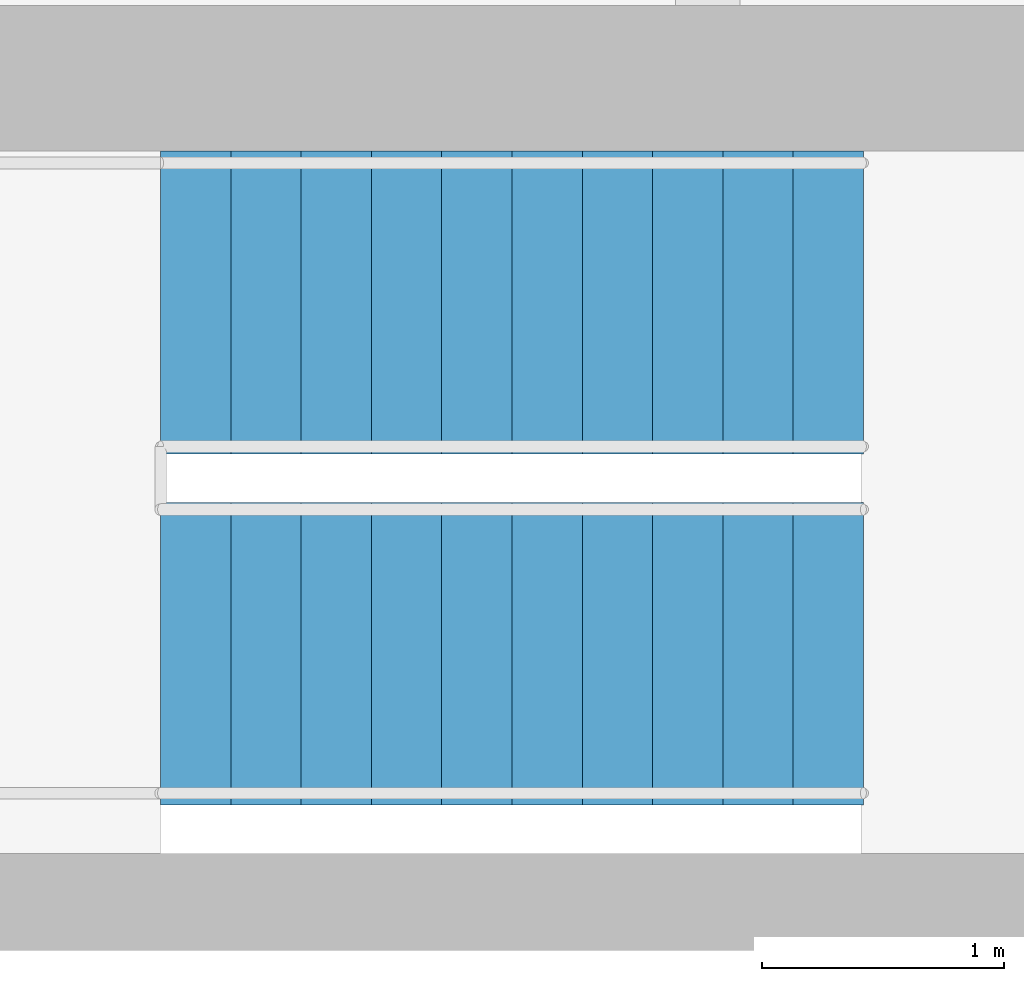
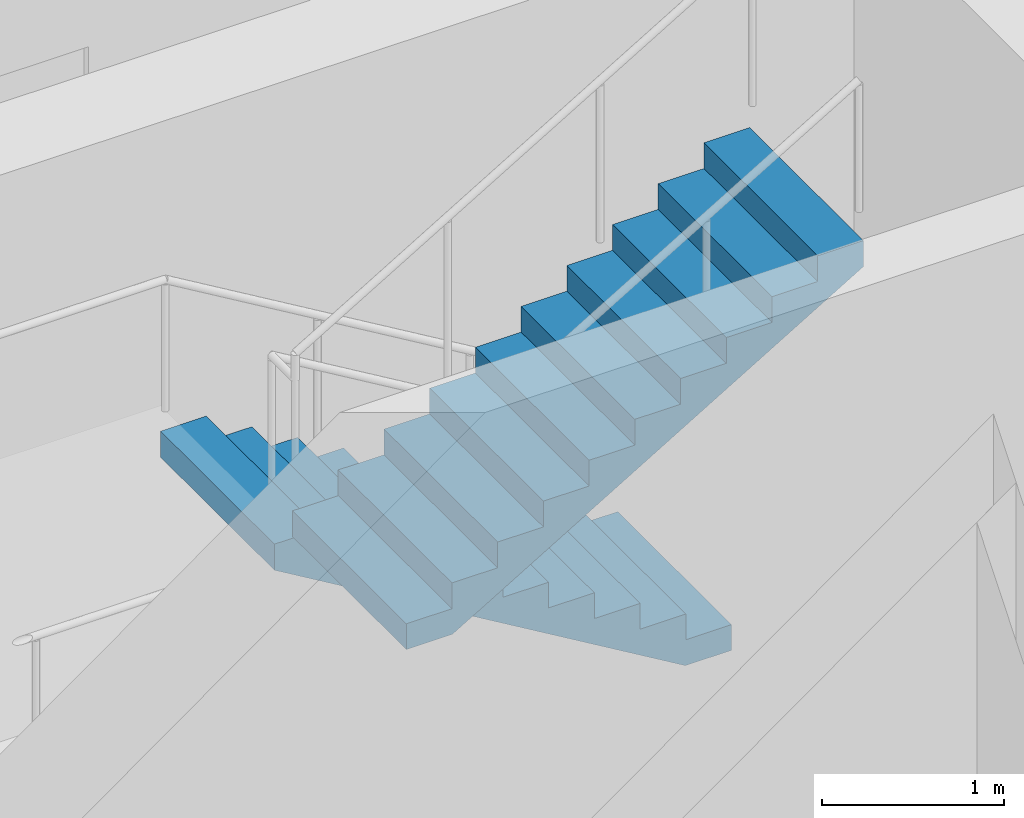
# One storey, part 7 of 8: 2 stair flights, 1 element without a shape of its own.
"""IFC4 building model written with IfcOpenShell, lengths in metres."""

from ifc_helpers import new_model, si_unit, direction, frame, origin, place, context, subcontext, project, spatial, polyline, outline, extrude, material, type_object, element, aggregate, save


model = new_model("IFC4")

# Units and contexts
model_context = context("Model", 3, precision=1e-05, world=origin(), true_north=direction((0.0, 1.0)))
body_context = subcontext(model_context, "Body", "Model", "MODEL_VIEW")
ifc_project = project(units=[si_unit("LENGTHUNIT", "METRE"), si_unit("AREAUNIT", "SQUARE_METRE"), si_unit("VOLUMEUNIT", "CUBIC_METRE"), si_unit("PLANEANGLEUNIT", "RADIAN"), si_unit("MASSUNIT", "GRAM", prefix="KILO")], contexts=[model_context])

# Site, building, storey
site_placement = place(None, origin())
site = spatial("IfcSite", under=ifc_project, at=site_placement, CompositionType="ELEMENT")
building_placement = place(site_placement, origin())
building = spatial("IfcBuilding", under=site, at=building_placement, Name="Ostroluk Exchange", CompositionType="ELEMENT")
storey_placement = place(building_placement, frame((0.0, 0.0, 173.0)))
storey = spatial("IfcBuildingStorey", under=building, at=storey_placement, Name="L44", CompositionType="ELEMENT", Elevation=173.0)

# Stair, stair flights
ifc_material_1 = material(Name="Concrete C30/37", Category="concrete")
stair_type = type_object("IfcStairType", Name="Exit stair half turn 3800", PredefinedType="HALF_TURN_STAIR", material=ifc_material_1)
stair_placement = place(storey_placement, origin())
stair = element("IfcStair", 1, at=stair_placement, inside=storey, type_object=stair_type, Name="Stair T1-S2 L44", PredefinedType="HALF_TURN_STAIR")
ifc_material_2 = material(Name="Concrete C30/37", Category="concrete")
stair_flight_type = type_object("IfcStairFlightType", Name="Stair flight 11 risers 172.7 x 290", PredefinedType="STRAIGHT", material=ifc_material_2)
stair_flight_1_placement = place(storey_placement, frame((47.030029296875, 54.675048828125, 0.0), z_axis=(0.0, 0.0, 1.0), x_axis=(-1.0, 0.0, 0.0)))
stair_flight_1 = element("IfcStairFlight", 2, at=stair_flight_1_placement, type_object=stair_flight_type, Name="T1-S2 flight 1", NumberOfRisers=11, NumberOfTreads=10, PredefinedType="STRAIGHT", RiserHeight=0.172727273, TreadLength=0.29, context=body_context, shape_type="SweptSolid", body=[
    extrude(outline(polyline([(0.0, 0.0), (0.0, 0.172607421875), (0.2900390625, 0.172607421875), (0.2900390625, 0.345458984375), (0.580078125, 0.345458984375), (0.580078125, 0.51806640625), (0.8701171875, 0.51806640625), (0.8701171875, 0.69091796875), (1.159912109375, 0.69091796875), (1.159912109375, 0.863525390625), (1.449951171875, 0.863525390625), (1.449951171875, 1.036376953125), (1.739990234375, 1.036376953125), (1.739990234375, 1.208984375), (2.030029296875, 1.208984375), (2.030029296875, 1.3818359375), (2.320068359375, 1.3818359375), (2.320068359375, 1.554443359375), (2.610107421875, 1.554443359375), (2.610107421875, 1.727294921875), (2.89990234375, 1.727294921875), (2.89990234375, 1.89990234375), (2.89990234375, 1.552734375), (0.29296875, 0.0), (0.0, 0.0)])), frame((0.0, 0.625, 0.0), z_axis=(0.0, -1.0, 0.0), x_axis=(1.0, 0.0, 0.0)), (0.0, 0.0, 1.0), 1.25),
])
stair_flight_2_placement = place(storey_placement, frame((44.1298828125, 53.22509765625, 1.89990234375), z_axis=(0.0, 0.0, 1.0), x_axis=(1.0, 0.0, 0.0)))
stair_flight_2 = element("IfcStairFlight", 3, at=stair_flight_2_placement, type_object=stair_flight_type, Name="T1-S2 flight 2", NumberOfRisers=11, NumberOfTreads=10, PredefinedType="STRAIGHT", RiserHeight=0.172727273, TreadLength=0.29, context=body_context, shape_type="SweptSolid", body=[
    extrude(outline(polyline([(0.0, 0.0), (0.0, 0.172607421875), (0.2900390625, 0.172607421875), (0.2900390625, 0.345458984375), (0.580078125, 0.345458984375), (0.580078125, 0.51806640625), (0.8701171875, 0.51806640625), (0.8701171875, 0.69091796875), (1.159912109375, 0.69091796875), (1.159912109375, 0.863525390625), (1.449951171875, 0.863525390625), (1.449951171875, 1.036376953125), (1.739990234375, 1.036376953125), (1.739990234375, 1.208984375), (2.030029296875, 1.208984375), (2.030029296875, 1.3818359375), (2.320068359375, 1.3818359375), (2.320068359375, 1.554443359375), (2.610107421875, 1.554443359375), (2.610107421875, 1.727294921875), (2.89990234375, 1.727294921875), (2.89990234375, 1.89990234375), (2.89990234375, 1.552734375), (0.29296875, 0.0), (0.0, 0.0)])), frame((0.0, 0.625, 0.0), z_axis=(0.0, -1.0, 0.0), x_axis=(1.0, 0.0, 0.0)), (0.0, 0.0, 1.0), 1.25),
])
aggregate(stair, [stair_flight_1, stair_flight_2])

save(model, "model.ifc")
